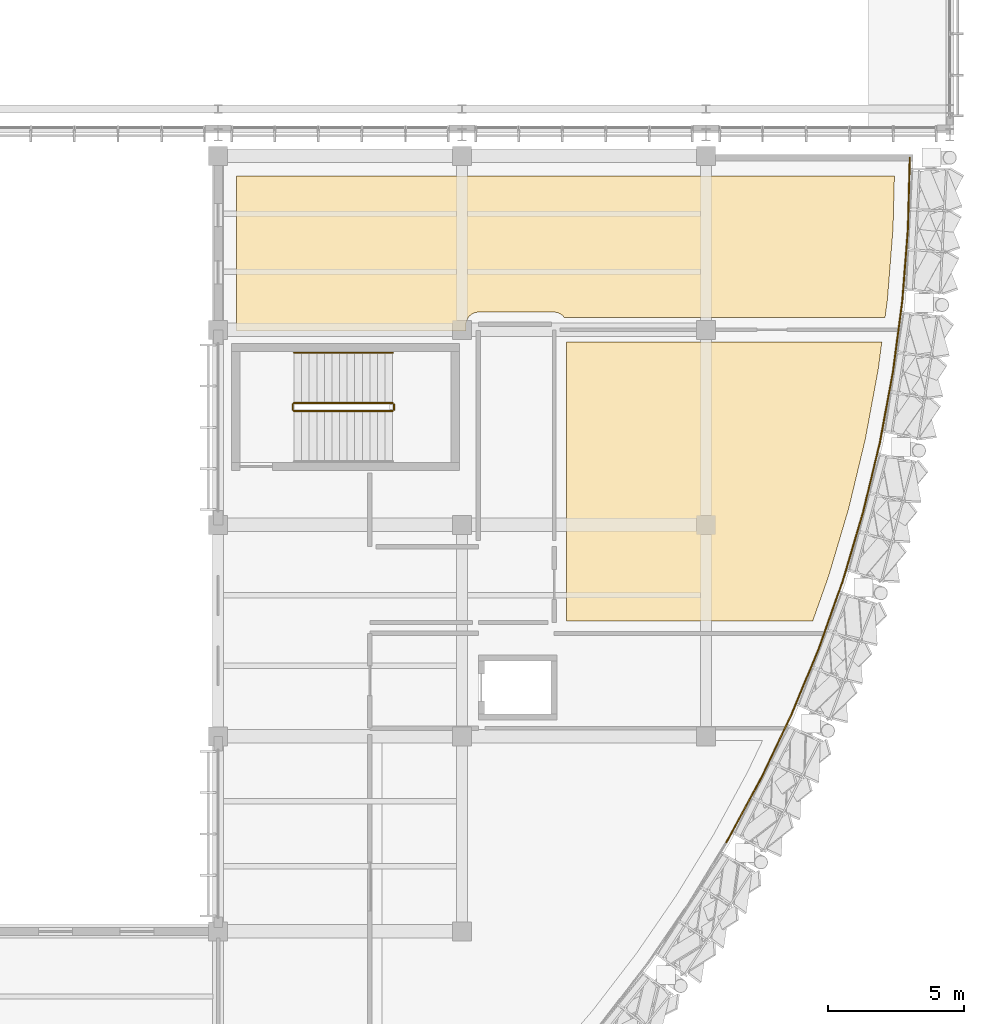
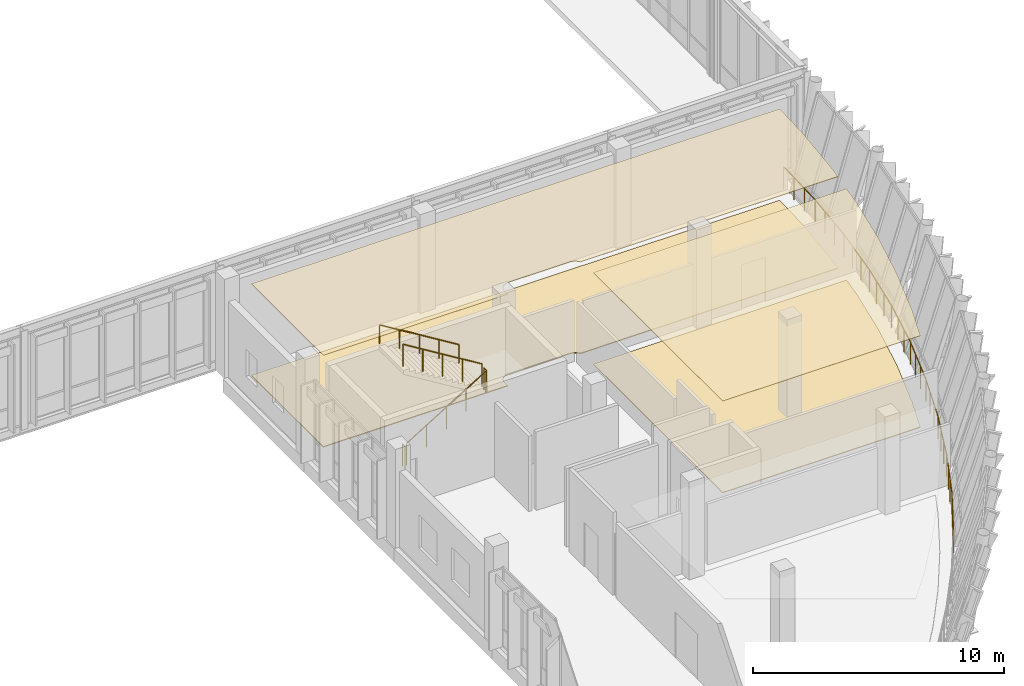
# One storey, part 176 of 177: 15 railings, 4 coverings.
"""IFC4 building model written with IfcOpenShell, lengths in metres."""

from ifc_helpers import new_model, si_unit, direction, frame, origin, origin_2d, place, context, subcontext, project, spatial, polyline, circle, outline, extrude, material, layer, layer_set, type_object, element, save


model = new_model("IFC4")

# Units and contexts
model_context = context("Model", 3, precision=1e-05, world=origin(), true_north=direction((0.0, 1.0)))
body_context = subcontext(model_context, "Body", "Model", "MODEL_VIEW")
ifc_project = project(units=[si_unit("LENGTHUNIT", "METRE"), si_unit("AREAUNIT", "SQUARE_METRE"), si_unit("VOLUMEUNIT", "CUBIC_METRE"), si_unit("PLANEANGLEUNIT", "RADIAN"), si_unit("MASSUNIT", "GRAM", prefix="KILO")], contexts=[model_context])

# Site, building, storey
site_placement = place(None, origin())
site = spatial("IfcSite", under=ifc_project, at=site_placement, CompositionType="ELEMENT")
building_placement = place(site_placement, origin())
building = spatial("IfcBuilding", under=site, at=building_placement, Name="Chiffa Square Polytechnic", CompositionType="ELEMENT")
storey_placement = place(building_placement, frame((0.0, 0.0, 4.800048828125)))
storey = spatial("IfcBuildingStorey", under=building, at=storey_placement, Name="L01", CompositionType="ELEMENT", Elevation=4.800048828125)

# Coverings
ifc_material_1 = material(Name="Perforated gypsum acoustic board")
ifc_layer_1 = layer(ifc_material_1, 0.02490234375, Name="Perforated gypsum acoustic board")
ifc_layer_set_1 = layer_set([ifc_layer_1], Name="Perforated gypsum acoustic board")
covering_type_1 = type_object("IfcCoveringType", Name="COV-CEIL-GYP", PredefinedType="CEILING", material=ifc_layer_set_1)
covering_1_placement = place(storey_placement, frame((0.0, 0.0, 4.45703125)))
element("IfcCovering", 1, at=covering_1_placement, inside=storey, type_object=covering_type_1, Name="Suspended acoustic ceiling CL-V1-L01-026", PredefinedType="CEILING", context=body_context, shape_type="SweptSolid", body=[
    extrude(outline(polyline([(161.050048828125, 40.25), (161.050048828125, 50.550048828125), (172.68994140625, 50.550048828125), (172.555908203125, 49.532958984375), (172.0791015625, 46.9599609375), (171.468994140625, 44.416015625), (170.72607421875, 41.907958984375), (170.137939453125, 40.25), (161.050048828125, 40.25)])), origin(), (0.0, 0.0, 1.0), 0.02490234375),
])
covering_2_placement = place(storey_placement, frame((0.0, 0.0, 4.45703125)))
element("IfcCovering", 2, at=covering_2_placement, inside=storey, type_object=covering_type_1, Name="Suspended acoustic ceiling CL-V1-L01-027", PredefinedType="CEILING", context=body_context, shape_type="SweptSolid", body=[
    extrude(outline(polyline([(148.8701171875, 50.949951171875), (148.8701171875, 56.679931640625), (173.154052734375, 56.679931640625), (173.10302734375, 54.735107421875), (172.89697265625, 52.1259765625), (172.80810546875, 51.449951171875), (160.97412109375, 51.449951171875), (160.97412109375, 51.449951171875), (160.947998046875, 51.485107421875), (160.91796875, 51.51806640625), (160.885009765625, 51.548095703125), (160.85009765625, 51.573974609375), (160.81201171875, 51.596923828125), (160.77197265625, 51.615966796875), (160.73095703125, 51.631103515625), (160.68798828125, 51.64111328125), (160.64404296875, 51.64794921875), (160.60009765625, 51.64990234375), (157.800048828125, 51.64990234375), (157.756103515625, 51.64794921875), (157.7119140625, 51.64111328125), (157.6689453125, 51.631103515625), (157.6279296875, 51.615966796875), (157.587890625, 51.596923828125), (157.550048828125, 51.573974609375), (157.514892578125, 51.548095703125), (157.48193359375, 51.51806640625), (157.451904296875, 51.485107421875), (157.426025390625, 51.449951171875), (157.403076171875, 51.412109375), (157.384033203125, 51.3720703125), (157.368896484375, 51.3310546875), (157.35888671875, 51.2880859375), (157.35205078125, 51.243896484375), (157.35009765625, 51.199951171875), (157.35009765625, 50.949951171875), (148.8701171875, 50.949951171875)])), origin(), (0.0, 0.0, 1.0), 0.02490234375),
])
ifc_material_2 = material(Name="Polished cementitious terrazzo")
ifc_layer_2 = layer(ifc_material_2, 0.0400390625, Name="Polished cementitious terrazzo")
ifc_layer_set_2 = layer_set([ifc_layer_2], Name="Polished cementitious terrazzo")
covering_type_2 = type_object("IfcCoveringType", Name="COV-FLR-TERRAZZO", PredefinedType="FLOORING", material=ifc_layer_set_2)
covering_3_placement = place(storey_placement, origin())
element("IfcCovering", 3, at=covering_3_placement, inside=storey, type_object=covering_type_2, Name="Polished terrazzo floor finish FL-V1-L01-025", PredefinedType="FLOORING", context=body_context, shape_type="SweptSolid", body=[
    extrude(outline(polyline([(161.050048828125, 40.25), (161.050048828125, 50.550048828125), (172.68994140625, 50.550048828125), (172.555908203125, 49.532958984375), (172.0791015625, 46.9599609375), (171.468994140625, 44.416015625), (170.72607421875, 41.907958984375), (170.137939453125, 40.25), (161.050048828125, 40.25)])), origin(), (0.0, 0.0, 1.0), 0.0400390625),
])
covering_4_placement = place(storey_placement, origin())
element("IfcCovering", 4, at=covering_4_placement, inside=storey, type_object=covering_type_2, Name="Polished terrazzo floor finish FL-V1-L01-026", PredefinedType="FLOORING", context=body_context, shape_type="SweptSolid", body=[
    extrude(outline(polyline([(148.8701171875, 50.949951171875), (148.8701171875, 56.679931640625), (173.154052734375, 56.679931640625), (173.10302734375, 54.735107421875), (172.89697265625, 52.1259765625), (172.80810546875, 51.449951171875), (160.97412109375, 51.449951171875), (160.97412109375, 51.449951171875), (160.947998046875, 51.485107421875), (160.91796875, 51.51806640625), (160.885009765625, 51.548095703125), (160.85009765625, 51.573974609375), (160.81201171875, 51.596923828125), (160.77197265625, 51.615966796875), (160.73095703125, 51.631103515625), (160.68798828125, 51.64111328125), (160.64404296875, 51.64794921875), (160.60009765625, 51.64990234375), (157.800048828125, 51.64990234375), (157.756103515625, 51.64794921875), (157.7119140625, 51.64111328125), (157.6689453125, 51.631103515625), (157.6279296875, 51.615966796875), (157.587890625, 51.596923828125), (157.550048828125, 51.573974609375), (157.514892578125, 51.548095703125), (157.48193359375, 51.51806640625), (157.451904296875, 51.485107421875), (157.426025390625, 51.449951171875), (157.403076171875, 51.412109375), (157.384033203125, 51.3720703125), (157.368896484375, 51.3310546875), (157.35888671875, 51.2880859375), (157.35205078125, 51.243896484375), (157.35009765625, 51.199951171875), (157.35009765625, 50.949951171875), (148.8701171875, 50.949951171875)])), origin(), (0.0, 0.0, 1.0), 0.0400390625),
])

# Railings
ifc_material_3 = material(Name="Steel S355", Category="steel")
ifc_layer_3 = layer(ifc_material_3, 0.050048828125, Name="Steel S355")
ifc_layer_set_3 = layer_set([ifc_layer_3], Name="Steel S355")
railing_type_1 = type_object("IfcRailingType", Name="RL-STAIR-GUARD", PredefinedType="GUARDRAIL", material=ifc_layer_set_3)
railing_1_placement = place(storey_placement, frame((151.0, 48.0, 0.17138671875)))
element("IfcRailing", 5, at=railing_1_placement, inside=storey, type_object=railing_type_1, Name="L01 ST-V1B stair guard 1", PredefinedType="GUARDRAIL", context=body_context, shape_type="SweptSolid", body=[
    extrude(circle(Radius=0.02392578125, at=origin_2d()), frame((0.0, 0.0, 1.076171875), z_axis=(0.852850264322, 0.0, 0.5221555579), x_axis=(0.0, 1.0, 0.0)), (0.0, 0.0, 1.0), 4.267822265625),
    extrude(circle(Radius=0.02099609375, at=origin_2d()), origin(), (0.0, 0.0, 1.0), 1.052001953125),
    extrude(circle(Radius=0.02099609375, at=origin_2d()), frame((0.909912109375, 0.0, 0.55712890625)), (0.0, 0.0, 1.0), 1.052001953125),
    extrude(circle(Radius=0.02099609375, at=origin_2d()), frame((1.81982421875, 0.0, 1.1142578125)), (0.0, 0.0, 1.0), 1.052001953125),
    extrude(circle(Radius=0.02099609375, at=origin_2d()), frame((2.72998046875, 0.0, 1.67138671875)), (0.0, 0.0, 1.0), 1.052001953125),
    extrude(circle(Radius=0.02099609375, at=origin_2d()), frame((3.639892578125, 0.0, 2.228515625)), (0.0, 0.0, 1.0), 1.052001953125),
])
railing_2_placement = place(storey_placement, frame((154.68994140625, 48.050048828125, 2.39990234375)))
element("IfcRailing", 6, at=railing_2_placement, inside=storey, type_object=railing_type_1, Name="L01 ST-V1B stair guard 2", PredefinedType="GUARDRAIL", context=body_context, shape_type="SweptSolid", body=[
    extrude(circle(Radius=0.02392578125, at=origin_2d()), frame((0.0, 0.0, 1.076171875), z_axis=(0.0, 1.0, 0.0), x_axis=(-1.0, 0.0, 0.0)), (0.0, 0.0, 1.0), 0.199951171875),
    extrude(circle(Radius=0.02099609375, at=origin_2d()), origin(), (0.0, 0.0, 1.0), 1.052001953125),
    extrude(circle(Radius=0.02099609375, at=origin_2d()), frame((0.0, 0.199951171875, 0.0)), (0.0, 0.0, 1.0), 1.052001953125),
])
railing_3_placement = place(storey_placement, frame((154.639892578125, 48.300048828125, 2.5712890625)))
element("IfcRailing", 7, at=railing_3_placement, inside=storey, type_object=railing_type_1, Name="L01 ST-V1B stair guard 3", PredefinedType="GUARDRAIL", context=body_context, shape_type="SweptSolid", body=[
    extrude(circle(Radius=0.02392578125, at=origin_2d()), frame((0.0, 0.0, 1.076171875), z_axis=(-0.852824790078, 0.0, 0.522197163366), x_axis=(0.0, -1.0, 0.0)), (0.0, 0.0, 1.0), 4.26806640625),
    extrude(circle(Radius=0.02099609375, at=origin_2d()), origin(), (0.0, 0.0, 1.0), 1.052001953125),
    extrude(circle(Radius=0.02099609375, at=origin_2d()), frame((-0.909912109375, 0.0, 0.55712890625)), (0.0, 0.0, 1.0), 1.052001953125),
    extrude(circle(Radius=0.02099609375, at=origin_2d()), frame((-1.81982421875, 0.0, 1.1142578125)), (0.0, 0.0, 1.0), 1.052001953125),
    extrude(circle(Radius=0.02099609375, at=origin_2d()), frame((-2.72998046875, 0.0, 1.671630859375)), (0.0, 0.0, 1.0), 1.052001953125),
    extrude(circle(Radius=0.02099609375, at=origin_2d()), frame((-3.639892578125, 0.0, 2.228759765625)), (0.0, 0.0, 1.0), 1.052001953125),
])
railing_4_placement = place(storey_placement, frame((150.949951171875, 48.050048828125, 0.0)))
element("IfcRailing", 8, at=railing_4_placement, inside=storey, type_object=railing_type_1, Name="L01 ST-V1B stair guard 4", PredefinedType="GUARDRAIL", context=body_context, shape_type="SweptSolid", body=[
    extrude(circle(Radius=0.02392578125, at=origin_2d()), frame((0.0, 0.0, 1.076171875), z_axis=(0.0, 1.0, 0.0), x_axis=(-1.0, 0.0, 0.0)), (0.0, 0.0, 1.0), 0.199951171875),
    extrude(circle(Radius=0.02099609375, at=origin_2d()), origin(), (0.0, 0.0, 1.0), 1.052001953125),
    extrude(circle(Radius=0.02099609375, at=origin_2d()), frame((0.0, 0.199951171875, 0.0)), (0.0, 0.0, 1.0), 1.052001953125),
])
railing_5_placement = place(storey_placement, frame((166.952880859375, 32.089111328125, 0.0)))
element("IfcRailing", 9, at=railing_5_placement, inside=storey, type_object=railing_type_1, Name="Faculty L01 perimeter safety guard GR-V1-L01-PERIM-25", PredefinedType="GUARDRAIL", context=body_context, shape_type="SweptSolid", body=[
    extrude(circle(Radius=0.02392578125, at=origin_2d()), frame((0.0, 0.0, 1.076171875), z_axis=(0.477118338164, 0.878839058866, 0.0), x_axis=(-0.878839058866, 0.477118338164, 0.0)), (0.0, 0.0, 1.0), 2.6455078125),
    extrude(circle(Radius=0.02099609375, at=origin_2d()), origin(), (0.0, 0.0, 1.0), 1.052001953125),
    extrude(circle(Radius=0.02099609375, at=origin_2d()), frame((0.420654296875, 0.77490234375, 0.0)), (0.0, 0.0, 1.0), 1.052001953125),
    extrude(circle(Radius=0.02099609375, at=origin_2d()), frame((0.841552734375, 1.550048828125, 0.0)), (0.0, 0.0, 1.0), 1.052001953125),
    extrude(circle(Radius=0.02099609375, at=origin_2d()), frame((1.26220703125, 2.324951171875, 0.0)), (0.0, 0.0, 1.0), 1.052001953125),
])
railing_6_placement = place(storey_placement, frame((168.215087890625, 34.4140625, 0.0)))
element("IfcRailing", 10, at=railing_6_placement, inside=storey, type_object=railing_type_1, Name="Faculty L01 perimeter safety guard GR-V1-L01-PERIM-26", PredefinedType="GUARDRAIL", context=body_context, shape_type="SweptSolid", body=[
    extrude(circle(Radius=0.02392578125, at=origin_2d()), frame((0.0, 0.0, 1.076171875), z_axis=(0.430632185, 0.902527518274, 0.0), x_axis=(-0.902527518274, 0.430632185, 0.0)), (0.0, 0.0, 1.0), 2.644775390625),
    extrude(circle(Radius=0.02099609375, at=origin_2d()), origin(), (0.0, 0.0, 1.0), 1.052001953125),
    extrude(circle(Radius=0.02099609375, at=origin_2d()), frame((0.379638671875, 0.795654296875, 0.0)), (0.0, 0.0, 1.0), 1.052001953125),
    extrude(circle(Radius=0.02099609375, at=origin_2d()), frame((0.75927734375, 1.59130859375, 0.0)), (0.0, 0.0, 1.0), 1.052001953125),
    extrude(circle(Radius=0.02099609375, at=origin_2d()), frame((1.138916015625, 2.386962890625, 0.0)), (0.0, 0.0, 1.0), 1.052001953125),
])
railing_7_placement = place(storey_placement, frame((169.35400390625, 36.801025390625, 0.0)))
element("IfcRailing", 11, at=railing_7_placement, inside=storey, type_object=railing_type_1, Name="Faculty L01 perimeter safety guard GR-V1-L01-PERIM-27", PredefinedType="GUARDRAIL", context=body_context, shape_type="SweptSolid", body=[
    extrude(circle(Radius=0.02392578125, at=origin_2d()), frame((0.0, 0.0, 1.076171875), z_axis=(0.38255014134, 0.923934732197, 0.0), x_axis=(-0.923934732197, 0.38255014134, 0.0)), (0.0, 0.0, 1.0), 2.645263671875),
    extrude(circle(Radius=0.02099609375, at=origin_2d()), origin(), (0.0, 0.0, 1.0), 1.052001953125),
    extrude(circle(Radius=0.02099609375, at=origin_2d()), frame((0.33740234375, 0.814697265625, 0.0)), (0.0, 0.0, 1.0), 1.052001953125),
    extrude(circle(Radius=0.02099609375, at=origin_2d()), frame((0.674560546875, 1.62939453125, 0.0)), (0.0, 0.0, 1.0), 1.052001953125),
    extrude(circle(Radius=0.02099609375, at=origin_2d()), frame((1.011962890625, 2.444091796875, 0.0)), (0.0, 0.0, 1.0), 1.052001953125),
])
railing_8_placement = place(storey_placement, frame((170.365966796875, 39.2451171875, 0.0)))
element("IfcRailing", 12, at=railing_8_placement, inside=storey, type_object=railing_type_1, Name="Faculty L01 perimeter safety guard GR-V1-L01-PERIM-28", PredefinedType="GUARDRAIL", context=body_context, shape_type="SweptSolid", body=[
    extrude(circle(Radius=0.02392578125, at=origin_2d()), frame((0.0, 0.0, 1.076171875), z_axis=(0.33389669825, 0.94260967261, 0.0), x_axis=(-0.94260967261, 0.33389669825, 0.0)), (0.0, 0.0, 1.0), 2.644775390625),
    extrude(circle(Radius=0.02099609375, at=origin_2d()), origin(), (0.0, 0.0, 1.0), 1.052001953125),
    extrude(circle(Radius=0.02099609375, at=origin_2d()), frame((0.29443359375, 0.8310546875, 0.0)), (0.0, 0.0, 1.0), 1.052001953125),
    extrude(circle(Radius=0.02099609375, at=origin_2d()), frame((0.588623046875, 1.661865234375, 0.0)), (0.0, 0.0, 1.0), 1.052001953125),
    extrude(circle(Radius=0.02099609375, at=origin_2d()), frame((0.883056640625, 2.492919921875, 0.0)), (0.0, 0.0, 1.0), 1.052001953125),
])
railing_9_placement = place(storey_placement, frame((171.2490234375, 41.738037109375, 0.0)))
element("IfcRailing", 13, at=railing_9_placement, inside=storey, type_object=railing_type_1, Name="Faculty L01 perimeter safety guard GR-V1-L01-PERIM-29", PredefinedType="GUARDRAIL", context=body_context, shape_type="SweptSolid", body=[
    extrude(circle(Radius=0.02392578125, at=origin_2d()), frame((0.0, 0.0, 1.076171875), z_axis=(0.283950034166, 0.958839078311, 0.0), x_axis=(-0.958839078311, 0.283950034166, 0.0)), (0.0, 0.0, 1.0), 2.644775390625),
    extrude(circle(Radius=0.02099609375, at=origin_2d()), origin(), (0.0, 0.0, 1.0), 1.052001953125),
    extrude(circle(Radius=0.02099609375, at=origin_2d()), frame((0.250244140625, 0.84521484375, 0.0)), (0.0, 0.0, 1.0), 1.052001953125),
    extrude(circle(Radius=0.02099609375, at=origin_2d()), frame((0.500732421875, 1.690673828125, 0.0)), (0.0, 0.0, 1.0), 1.052001953125),
    extrude(circle(Radius=0.02099609375, at=origin_2d()), frame((0.7509765625, 2.535888671875, 0.0)), (0.0, 0.0, 1.0), 1.052001953125),
])
railing_10_placement = place(storey_placement, frame((172.0, 44.27392578125, 0.0)))
element("IfcRailing", 14, at=railing_10_placement, inside=storey, type_object=railing_type_1, Name="Faculty L01 perimeter safety guard GR-V1-L01-PERIM-30", PredefinedType="GUARDRAIL", context=body_context, shape_type="SweptSolid", body=[
    extrude(circle(Radius=0.02392578125, at=origin_2d()), frame((0.0, 0.0, 1.076171875), z_axis=(0.23359984498, 0.972332819782, 0.0), x_axis=(-0.972332819782, 0.23359984498, 0.0)), (0.0, 0.0, 1.0), 2.645263671875),
    extrude(circle(Radius=0.02099609375, at=origin_2d()), origin(), (0.0, 0.0, 1.0), 1.052001953125),
    extrude(circle(Radius=0.02099609375, at=origin_2d()), frame((0.2060546875, 0.857421875, 0.0)), (0.0, 0.0, 1.0), 1.052001953125),
    extrude(circle(Radius=0.02099609375, at=origin_2d()), frame((0.411865234375, 1.714599609375, 0.0)), (0.0, 0.0, 1.0), 1.052001953125),
    extrude(circle(Radius=0.02099609375, at=origin_2d()), frame((0.617919921875, 2.572021484375, 0.0)), (0.0, 0.0, 1.0), 1.052001953125),
])
railing_11_placement = place(storey_placement, frame((172.617919921875, 46.845947265625, 0.0)))
element("IfcRailing", 15, at=railing_11_placement, inside=storey, type_object=railing_type_1, Name="Faculty L01 perimeter safety guard GR-V1-L01-PERIM-31", PredefinedType="GUARDRAIL", context=body_context, shape_type="SweptSolid", body=[
    extrude(circle(Radius=0.02392578125, at=origin_2d()), frame((0.0, 0.0, 1.076171875), z_axis=(0.182271020134, 0.983248328358, 0.0), x_axis=(-0.983248328358, 0.182271020134, 0.0)), (0.0, 0.0, 1.0), 2.6455078125),
    extrude(circle(Radius=0.02099609375, at=origin_2d()), origin(), (0.0, 0.0, 1.0), 1.052001953125),
    extrude(circle(Radius=0.02099609375, at=origin_2d()), frame((0.16064453125, 0.866943359375, 0.0)), (0.0, 0.0, 1.0), 1.052001953125),
    extrude(circle(Radius=0.02099609375, at=origin_2d()), frame((0.321533203125, 1.734130859375, 0.0)), (0.0, 0.0, 1.0), 1.052001953125),
    extrude(circle(Radius=0.02099609375, at=origin_2d()), frame((0.482177734375, 2.60107421875, 0.0)), (0.0, 0.0, 1.0), 1.052001953125),
])
railing_12_placement = place(storey_placement, frame((173.10009765625, 49.447021484375, 0.0)))
element("IfcRailing", 16, at=railing_12_placement, inside=storey, type_object=railing_type_1, Name="Faculty L01 perimeter safety guard GR-V1-L01-PERIM-32", PredefinedType="GUARDRAIL", context=body_context, shape_type="SweptSolid", body=[
    extrude(circle(Radius=0.02392578125, at=origin_2d()), frame((0.0, 0.0, 1.076171875), z_axis=(0.130440184666, 0.991456180688, 0.0), x_axis=(-0.991456180688, 0.130440184666, 0.0)), (0.0, 0.0, 1.0), 2.644775390625),
    extrude(circle(Radius=0.02099609375, at=origin_2d()), origin(), (0.0, 0.0, 1.0), 1.052001953125),
    extrude(circle(Radius=0.02099609375, at=origin_2d()), frame((0.114990234375, 0.8740234375, 0.0)), (0.0, 0.0, 1.0), 1.052001953125),
    extrude(circle(Radius=0.02099609375, at=origin_2d()), frame((0.22998046875, 1.748046875, 0.0)), (0.0, 0.0, 1.0), 1.052001953125),
    extrude(circle(Radius=0.02099609375, at=origin_2d()), frame((0.344970703125, 2.6220703125, 0.0)), (0.0, 0.0, 1.0), 1.052001953125),
])
railing_13_placement = place(storey_placement, frame((173.445068359375, 52.069091796875, 0.0)))
element("IfcRailing", 17, at=railing_13_placement, inside=storey, type_object=railing_type_1, Name="Faculty L01 perimeter safety guard GR-V1-L01-PERIM-33", PredefinedType="GUARDRAIL", context=body_context, shape_type="SweptSolid", body=[
    extrude(circle(Radius=0.02392578125, at=origin_2d()), frame((0.0, 0.0, 1.076171875), z_axis=(0.078270389578, 0.996932167259, 0.0), x_axis=(-0.996932167259, 0.078270389578, 0.0)), (0.0, 0.0, 1.0), 2.64501953125),
    extrude(circle(Radius=0.02099609375, at=origin_2d()), origin(), (0.0, 0.0, 1.0), 1.052001953125),
    extrude(circle(Radius=0.02099609375, at=origin_2d()), frame((0.069091796875, 0.87890625, 0.0)), (0.0, 0.0, 1.0), 1.052001953125),
    extrude(circle(Radius=0.02099609375, at=origin_2d()), frame((0.137939453125, 1.758056640625, 0.0)), (0.0, 0.0, 1.0), 1.052001953125),
    extrude(circle(Radius=0.02099609375, at=origin_2d()), frame((0.20703125, 2.636962890625, 0.0)), (0.0, 0.0, 1.0), 1.052001953125),
])
railing_14_placement = place(storey_placement, frame((173.652099609375, 54.7060546875, 0.0)))
element("IfcRailing", 18, at=railing_14_placement, inside=storey, type_object=railing_type_1, Name="Faculty L01 perimeter safety guard GR-V1-L01-PERIM-34", PredefinedType="GUARDRAIL", context=body_context, shape_type="SweptSolid", body=[
    extrude(circle(Radius=0.02392578125, at=origin_2d()), frame((0.0, 0.0, 1.076171875), z_axis=(0.026398922021, 0.999651487728, 0.0), x_axis=(-0.999651487728, 0.026398922021, 0.0)), (0.0, 0.0, 1.0), 2.64501953125),
    extrude(circle(Radius=0.02099609375, at=origin_2d()), origin(), (0.0, 0.0, 1.0), 1.052001953125),
    extrude(circle(Radius=0.02099609375, at=origin_2d()), frame((0.023193359375, 0.88134765625, 0.0)), (0.0, 0.0, 1.0), 1.052001953125),
    extrude(circle(Radius=0.02099609375, at=origin_2d()), frame((0.046630859375, 1.7626953125, 0.0)), (0.0, 0.0, 1.0), 1.052001953125),
    extrude(circle(Radius=0.02099609375, at=origin_2d()), frame((0.06982421875, 2.64404296875, 0.0)), (0.0, 0.0, 1.0), 1.052001953125),
])
ifc_layer_4 = layer(ifc_material_3, 0.044921875, Name="Steel S355")
ifc_layer_set_4 = layer_set([ifc_layer_4], Name="Steel S355")
railing_type_2 = type_object("IfcRailingType", Name="RL-STAIR-HAND", PredefinedType="HANDRAIL", material=ifc_layer_set_4)
railing_15_placement = place(storey_placement, frame((154.639892578125, 50.14990234375, 2.5712890625)))
element("IfcRailing", 19, at=railing_15_placement, inside=storey, type_object=railing_type_2, Name="L01 ST-V1B stair handrail 2", PredefinedType="HANDRAIL", context=body_context, shape_type="SweptSolid", body=[
    extrude(circle(Radius=0.02392578125, at=origin_2d()), frame((0.0, 0.0, 0.89599609375), z_axis=(-0.852824790078, 0.0, 0.522197163366), x_axis=(0.0, -1.0, 0.0)), (0.0, 0.0, 1.0), 4.26806640625),
    extrude(circle(Radius=0.02099609375, at=origin_2d()), origin(), (0.0, 0.0, 1.0), 0.871826171875),
    extrude(circle(Radius=0.02099609375, at=origin_2d()), frame((-0.909912109375, 0.0, 0.55712890625)), (0.0, 0.0, 1.0), 0.871826171875),
    extrude(circle(Radius=0.02099609375, at=origin_2d()), frame((-1.81982421875, 0.0, 1.1142578125)), (0.0, 0.0, 1.0), 0.871826171875),
    extrude(circle(Radius=0.02099609375, at=origin_2d()), frame((-2.72998046875, 0.0, 1.671630859375)), (0.0, 0.0, 1.0), 0.871826171875),
    extrude(circle(Radius=0.02099609375, at=origin_2d()), frame((-3.639892578125, 0.0, 2.228759765625)), (0.0, 0.0, 1.0), 0.871826171875),
])

save(model, "model.ifc")
